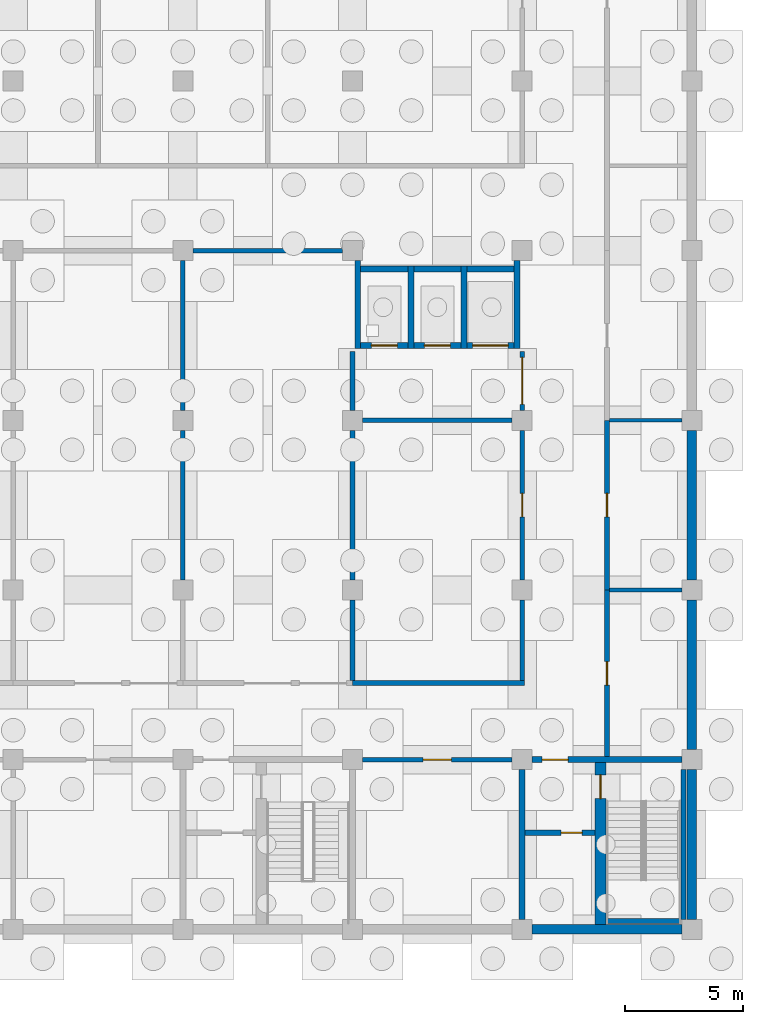
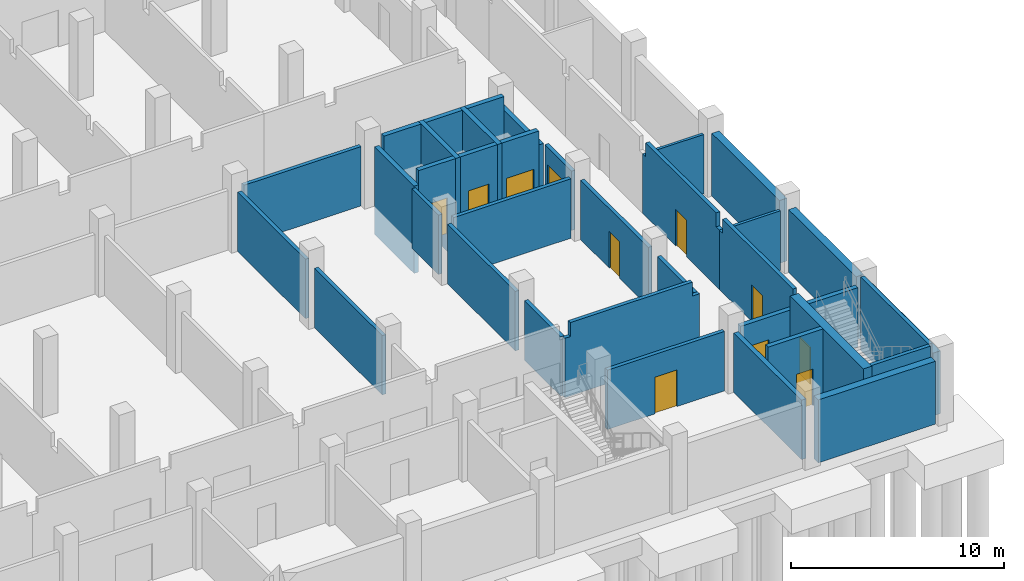
# One storey, part 12 of 19: 36 walls, 11 doors, 11 openings.
"""IFC4 building model written with IfcOpenShell, lengths in metres."""

from ifc_helpers import new_model, si_unit, direction, frame, frame_2d, origin, place, context, subcontext, project, spatial, polyline, rectangle, outline, extrude, material, layer, layer_set, type_object, element, fill, save


model = new_model("IFC4")

# Units and contexts
model_context = context("Model", 3, precision=1e-05, world=origin(), true_north=direction((0.0, 1.0)))
body_context = subcontext(model_context, "Body", "Model", "MODEL_VIEW")
ifc_project = project(units=[si_unit("LENGTHUNIT", "METRE"), si_unit("AREAUNIT", "SQUARE_METRE"), si_unit("VOLUMEUNIT", "CUBIC_METRE"), si_unit("PLANEANGLEUNIT", "RADIAN"), si_unit("MASSUNIT", "GRAM", prefix="KILO")], contexts=[model_context])

# Site, building, storey
site_placement = place(None, origin())
site = spatial("IfcSite", under=ifc_project, at=site_placement, CompositionType="ELEMENT")
building_placement = place(site_placement, origin())
building = spatial("IfcBuilding", under=site, at=building_placement, Name="Silangan Lancet Faculty of Sciences", CompositionType="ELEMENT")
storey_placement = place(building_placement, frame((0.0, 0.0, -4.5)))
storey = spatial("IfcBuildingStorey", under=building, at=storey_placement, Name="B1", CompositionType="ELEMENT", Elevation=-4.5)

# Walls
ifc_material_1 = material(Name="Hollow block masonry fm 7 MPa", Category="masonry")
ifc_layer_1 = layer(ifc_material_1, 0.199951171875)
ifc_layer_set_1 = layer_set([ifc_layer_1], Name="Hollow block masonry fm 7 MPa")
wall_type_1 = type_object("IfcWallType", Name="Interior wall PW1 Corridor wall CHB 200", PredefinedType="PARTITIONING", material=ifc_layer_set_1)
wall_1_placement = place(storey_placement, frame((72.0, 10.449951171875, 0.0), z_axis=(0.0, 0.0, 1.0), x_axis=(1.0, 0.0, 0.0)))
element("IfcWall", 1, at=wall_1_placement, inside=storey, type_object=wall_type_1, Name="Corridor wall CHB 200", PredefinedType="PARTITIONING", context=body_context, shape_type="SweptSolid", body=[
    extrude(outline(polyline([(0.0, 0.0), (7.300048828125, 0.0), (7.300048828125, 3.39990234375), (6.89990234375, 3.39990234375), (6.89990234375, 4.199951171875), (0.300048828125, 4.199951171875), (0.300048828125, 3.39990234375), (0.0, 3.39990234375), (0.0, 0.0)])), frame((0.0, 0.10009765625, 0.0), z_axis=(0.0, -1.0, 0.0), x_axis=(1.0, 0.0, 0.0)), (0.0, 0.0, 1.0), 0.199951171875),
])
wall_2_placement = place(storey_placement, frame((79.199951171875, 10.550048828125, 0.0), z_axis=(0.0, 0.0, 1.0), x_axis=(0.0, 1.0, 0.0)))
element("IfcWall", 2, at=wall_2_placement, inside=storey, type_object=wall_type_1, Name="Corridor wall CHB 200", PredefinedType="PARTITIONING", context=body_context, shape_type="SweptSolid", body=[
    extrude(rectangle(XDim=3.425048828125, YDim=0.199951171875, at=frame_2d((1.71240234375, 0.0))), origin(), (0.0, 0.0, 1.0), 3.39990234375),
])

# Wall, opening, door
wall_3_placement = place(storey_placement, frame((79.199951171875, 14.824951171875, 0.0), z_axis=(0.0, 0.0, 1.0), x_axis=(0.0, 1.0, 0.0)))
wall_3 = element("IfcWall", 3, at=wall_3_placement, inside=storey, type_object=wall_type_1, Name="Corridor wall CHB 200", PredefinedType="PARTITIONING", context=body_context, shape_type="SweptSolid", body=[
    extrude(rectangle(XDim=6.35009765625, YDim=0.199951171875, at=frame_2d((3.175048828125, 0.0))), origin(), (0.0, 0.0, 1.0), 3.39990234375),
])
opening_1_placement = place(wall_3_placement, frame((2.675048828125, 0.0, 0.0)))
opening_1 = element("IfcOpeningElement", 4, at=opening_1_placement, cuts=wall_3, Name="Opening B1-021", PredefinedType="OPENING", context=body_context, shape_type="SweptSolid", body=[
    extrude(rectangle(XDim=1.0, YDim=2.10009765625, at=frame_2d((0.5, 1.050048828125))), frame((0.0, 0.10986328125, 0.0), z_axis=(0.0, -1.0, 0.0), x_axis=(1.0, 0.0, 0.0)), (0.0, 0.0, 1.0), 0.219970703125),
])
ifc_material_2 = material(Name="Steel fire door set", Category="steel")
door_type_1 = type_object("IfcDoorType", Name="Door D1 Single leaf fire door 1000 x 2100", OperationType="SINGLE_SWING_LEFT", PredefinedType="DOOR", material=ifc_material_2)
door_1_placement = place(opening_1_placement, origin())
door_1 = element("IfcDoor", 5, at=door_1_placement, inside=storey, type_object=door_type_1, Name="Single leaf fire door 1000 x 2100", OperationType="SINGLE_SWING_LEFT", OverallHeight=2.10009765625, OverallWidth=1.0, PredefinedType="DOOR", context=body_context, shape_type="SweptSolid", body=[
    extrude(rectangle(XDim=1.0, YDim=2.10009765625, at=frame_2d((0.5, 1.050048828125))), frame((0.0, 0.02490234375, 0.0), z_axis=(0.0, -1.0, 0.0), x_axis=(1.0, 0.0, 0.0)), (0.0, 0.0, 1.0), 0.050048828125),
])
fill(opening_1, door_1)

wall_4_placement = place(storey_placement, frame((82.800048828125, 7.324951171875, 0.0), z_axis=(0.0, 0.0, 1.0), x_axis=(0.0, 1.0, 0.0)))
wall_4 = element("IfcWall", 6, at=wall_4_placement, inside=storey, type_object=wall_type_1, Name="Corridor wall CHB 200", PredefinedType="PARTITIONING", context=body_context, shape_type="SweptSolid", body=[
    extrude(outline(polyline([(0.0, 0.0), (7.074951171875, 0.0), (7.074951171875, 3.39990234375), (6.77490234375, 3.39990234375), (6.77490234375, 4.199951171875), (0.175048828125, 4.199951171875), (0.175048828125, 3.39990234375), (0.0, 3.39990234375), (0.0, 0.0)])), frame((0.0, 0.10009765625, 0.0), z_axis=(0.0, -1.0, 0.0), x_axis=(1.0, 0.0, 0.0)), (0.0, 0.0, 1.0), 0.199951171875),
])
opening_2_placement = place(wall_4_placement, frame((3.037353515625, 0.0, 0.0)))
opening_2 = element("IfcOpeningElement", 7, at=opening_2_placement, cuts=wall_4, Name="Opening B1-044", PredefinedType="OPENING", context=body_context, shape_type="SweptSolid", body=[
    extrude(rectangle(XDim=1.0, YDim=2.10009765625, at=frame_2d((0.5, 1.050048828125))), frame((0.0, 0.10986328125, 0.0), z_axis=(0.0, -1.0, 0.0), x_axis=(1.0, 0.0, 0.0)), (0.0, 0.0, 1.0), 0.219970703125),
])
door_2_placement = place(opening_2_placement, frame((1.0, 0.0, 0.0), z_axis=(0.0, 0.0, 1.0), x_axis=(-1.0, 0.0, 0.0)))
door_2 = element("IfcDoor", 8, at=door_2_placement, inside=storey, type_object=door_type_1, Name="Single leaf fire door 1000 x 2100", OperationType="SINGLE_SWING_LEFT", OverallHeight=2.10009765625, OverallWidth=1.0, PredefinedType="DOOR", context=body_context, shape_type="SweptSolid", body=[
    extrude(rectangle(XDim=1.0, YDim=2.10009765625, at=frame_2d((0.5, 1.050048828125))), frame((0.0, 0.025146484375, 0.0), z_axis=(0.0, -1.0, 0.0), x_axis=(1.0, 0.0, 0.0)), (0.0, 0.0, 1.0), 0.050048828125),
])
fill(opening_2, door_2)

wall_5_placement = place(storey_placement, frame((82.800048828125, 14.39990234375, 0.0), z_axis=(0.0, 0.0, 1.0), x_axis=(0.0, 1.0, 0.0)))
wall_5 = element("IfcWall", 9, at=wall_5_placement, inside=storey, type_object=wall_type_1, Name="Corridor wall CHB 200", PredefinedType="PARTITIONING", context=body_context, shape_type="SweptSolid", body=[
    extrude(outline(polyline([(0.0, 0.0), (7.2001953125, 0.0), (7.2001953125, 3.39990234375), (6.900146484375, 3.39990234375), (6.900146484375, 4.199951171875), (0.300048828125, 4.199951171875), (0.300048828125, 3.39990234375), (0.0, 3.39990234375), (0.0, 0.0)])), frame((0.0, 0.10009765625, 0.0), z_axis=(0.0, -1.0, 0.0), x_axis=(1.0, 0.0, 0.0)), (0.0, 0.0, 1.0), 0.199951171875),
])
opening_3_placement = place(wall_5_placement, frame((3.10009765625, 0.0, 0.0)))
opening_3 = element("IfcOpeningElement", 10, at=opening_3_placement, cuts=wall_5, Name="Opening B1-045", PredefinedType="OPENING", context=body_context, shape_type="SweptSolid", body=[
    extrude(rectangle(XDim=1.0, YDim=2.10009765625, at=frame_2d((0.5, 1.050048828125))), frame((0.0, 0.10986328125, 0.0), z_axis=(0.0, -1.0, 0.0), x_axis=(1.0, 0.0, 0.0)), (0.0, 0.0, 1.0), 0.219970703125),
])
door_3_placement = place(opening_3_placement, frame((1.0, 0.0, 0.0), z_axis=(0.0, 0.0, 1.0), x_axis=(-1.0, 0.0, 0.0)))
door_3 = element("IfcDoor", 11, at=door_3_placement, inside=storey, type_object=door_type_1, Name="Single leaf fire door 1000 x 2100", OperationType="SINGLE_SWING_RIGHT", OverallHeight=2.10009765625, OverallWidth=1.0, PredefinedType="DOOR", context=body_context, shape_type="SweptSolid", body=[
    extrude(rectangle(XDim=1.0, YDim=2.10009765625, at=frame_2d((0.5, 1.050048828125))), frame((0.0, 0.025146484375, 0.0), z_axis=(0.0, -1.0, 0.0), x_axis=(1.0, 0.0, 0.0)), (0.0, 0.0, 1.0), 0.050048828125),
])
fill(opening_3, door_3)

# Walls
ifc_material_3 = material(Name="Hollow block masonry fm 7 MPa", Category="masonry")
ifc_layer_2 = layer(ifc_material_3, 0.14990234375)
ifc_layer_set_2 = layer_set([ifc_layer_2], Name="Hollow block masonry fm 7 MPa")
wall_type_2 = type_object("IfcWallType", Name="Interior wall PW3 Partition CHB 150", PredefinedType="PARTITIONING", material=ifc_layer_set_2)
for number, where, z_axis, x_axis, name in (
    (12, (82.89990234375, 14.39990234375, 0.0), (0.0, 0.0, 1.0), (1.0, 0.0, 0.0), "Partition CHB 150"),
    (13, (82.89990234375, 21.60009765625, 0.0), (0.0, 0.0, 1.0), (1.0, 0.0, 0.0), "Partition CHB 150"),
):
    element("IfcWall", number, at=place(storey_placement, frame(where, z_axis=z_axis, x_axis=x_axis)), inside=storey, type_object=wall_type_2, Name=name, PredefinedType="PARTITIONING", context=body_context, shape_type="SweptSolid", body=[
        extrude(rectangle(XDim=3.0751953125, YDim=0.14990234375, at=frame_2d((1.53759765625, 0.0))), origin(), (0.0, 0.0, 1.0), 3.39990234375),
    ])

# Wall, opening, door
ifc_material_4 = material(Name="Hollow block masonry fm 7 MPa", Category="masonry")
ifc_layer_3 = layer(ifc_material_4, 0.199951171875)
ifc_layer_set_3 = layer_set([ifc_layer_3], Name="Hollow block masonry fm 7 MPa")
wall_type_3 = type_object("IfcWallType", Name="Interior wall PW6 Plant room wall CHB 200", PredefinedType="PARTITIONING", material=ifc_layer_set_3)
wall_6_placement = place(storey_placement, frame((72.425048828125, 7.199951171875, 0.0), z_axis=(0.0, 0.0, 1.0), x_axis=(1.0, 0.0, 0.0)))
wall_6 = element("IfcWall", 14, at=wall_6_placement, inside=storey, type_object=wall_type_3, Name="Plant room wall CHB 200", PredefinedType="PARTITIONING", context=body_context, shape_type="SweptSolid", body=[
    extrude(rectangle(XDim=6.349853515625, YDim=0.199951171875, at=frame_2d((3.1748046875, 0.0))), origin(), (0.0, 0.0, 1.0), 3.39990234375),
])
opening_4_placement = place(wall_6_placement, frame((2.574951171875, 0.0, 0.0)))
opening_4 = element("IfcOpeningElement", 15, at=opening_4_placement, cuts=wall_6, Name="Opening B1-038", PredefinedType="OPENING", context=body_context, shape_type="SweptSolid", body=[
    extrude(rectangle(XDim=1.199951171875, YDim=2.10009765625, at=frame_2d((0.60009765625, 1.050048828125))), frame((0.0, 0.10986328125, 0.0), z_axis=(0.0, -1.0, 0.0), x_axis=(1.0, 0.0, 0.0)), (0.0, 0.0, 1.0), 0.219970703125),
])
ifc_material_5 = material(Name="Steel fire door set", Category="steel")
door_type_2 = type_object("IfcDoorType", Name="Door D7 Plant room door 1200 x 2100", OperationType="SINGLE_SWING_LEFT", PredefinedType="DOOR", material=ifc_material_5)
door_4_placement = place(opening_4_placement, frame((1.199951171875, 0.0, 0.0), z_axis=(0.0, 0.0, 1.0), x_axis=(-1.0, 0.0, 0.0)))
door_4 = element("IfcDoor", 16, at=door_4_placement, inside=storey, type_object=door_type_2, Name="Plant room door 1200 x 2100", OperationType="SINGLE_SWING_LEFT", OverallHeight=2.10009765625, OverallWidth=1.199951171875, PredefinedType="DOOR", context=body_context, shape_type="SweptSolid", body=[
    extrude(rectangle(XDim=1.199951171875, YDim=2.10009765625, at=frame_2d((0.60009765625, 1.050048828125))), frame((0.0, 0.025146484375, 0.0), z_axis=(0.0, -1.0, 0.0), x_axis=(1.0, 0.0, 0.0)), (0.0, 0.0, 1.0), 0.050048828125),
])
fill(opening_4, door_4)

# Walls
wall_7_placement = place(storey_placement, frame((65.22509765625, 28.800048828125, 0.0), z_axis=(0.0, 0.0, 1.0), x_axis=(1.0, 0.0, 0.0)))
element("IfcWall", 17, at=wall_7_placement, inside=storey, type_object=wall_type_3, Name="Plant room wall CHB 200", PredefinedType="PARTITIONING", context=body_context, shape_type="SweptSolid", body=[
    extrude(rectangle(XDim=6.349853515625, YDim=0.199951171875, at=frame_2d((3.1748046875, 0.0))), origin(), (0.0, 0.0, 1.0), 3.39990234375),
])
for number, where, z_axis, x_axis, name in (
    (18, (64.800048828125, 14.824951171875, 0.0), (0.0, 0.0, 1.0), (0.0, 1.0, 0.0), "Plant room wall CHB 200"),
    (19, (64.800048828125, 22.02490234375, 0.0), (0.0, 0.0, 1.0), (0.0, 1.0, 0.0), "Plant room wall CHB 200"),
):
    element("IfcWall", number, at=place(storey_placement, frame(where, z_axis=z_axis, x_axis=x_axis)), inside=storey, type_object=wall_type_3, Name=name, PredefinedType="PARTITIONING", context=body_context, shape_type="SweptSolid", body=[
        extrude(rectangle(XDim=6.35009765625, YDim=0.199951171875, at=frame_2d((3.175048828125, 0.0))), origin(), (0.0, 0.0, 1.0), 3.39990234375),
    ])
wall_8_placement = place(storey_placement, frame((72.0, 10.550048828125, 0.0), z_axis=(0.0, 0.0, 1.0), x_axis=(0.0, 1.0, 0.0)))
element("IfcWall", 20, at=wall_8_placement, inside=storey, type_object=wall_type_3, Name="Plant room wall CHB 200", PredefinedType="PARTITIONING", context=body_context, shape_type="SweptSolid", body=[
    extrude(rectangle(XDim=3.425048828125, YDim=0.199951171875, at=frame_2d((1.71240234375, 0.0))), origin(), (0.0, 0.0, 1.0), 3.39990234375),
])
wall_9_placement = place(storey_placement, frame((72.0, 14.824951171875, 0.0), z_axis=(0.0, 0.0, 1.0), x_axis=(0.0, 1.0, 0.0)))
element("IfcWall", 21, at=wall_9_placement, inside=storey, type_object=wall_type_3, Name="Plant room wall CHB 200", PredefinedType="PARTITIONING", context=body_context, shape_type="SweptSolid", body=[
    extrude(rectangle(XDim=6.35009765625, YDim=0.199951171875, at=frame_2d((3.175048828125, 0.0))), origin(), (0.0, 0.0, 1.0), 3.39990234375),
])
wall_10_placement = place(storey_placement, frame((72.0, 22.02490234375, 0.0), z_axis=(0.0, 0.0, 1.0), x_axis=(0.0, 1.0, 0.0)))
element("IfcWall", 22, at=wall_10_placement, inside=storey, type_object=wall_type_3, Name="Plant room wall CHB 200", PredefinedType="PARTITIONING", context=body_context, shape_type="SweptSolid", body=[
    extrude(rectangle(XDim=2.5, YDim=0.199951171875, at=frame_2d((1.25, 0.0))), origin(), (0.0, 0.0, 1.0), 3.39990234375),
])
ifc_material_6 = material(Name="Hollow block masonry fm 7 MPa", Category="masonry")
ifc_layer_4 = layer(ifc_material_6, 0.199951171875)
ifc_layer_set_4 = layer_set([ifc_layer_4], Name="Hollow block masonry fm 7 MPa")
wall_type_4 = type_object("IfcWallType", Name="Interior wall PW9 Lift lobby wall CHB 200", PredefinedType="PARTITIONING", material=ifc_layer_set_4)
wall_11_placement = place(storey_placement, frame((72.425048828125, 21.60009765625, 0.0), z_axis=(0.0, 0.0, 1.0), x_axis=(1.0, 0.0, 0.0)))
element("IfcWall", 23, at=wall_11_placement, inside=storey, type_object=wall_type_4, Name="Lift lobby wall CHB 200", PredefinedType="PARTITIONING", context=body_context, shape_type="SweptSolid", body=[
    extrude(rectangle(XDim=6.349853515625, YDim=0.199951171875, at=frame_2d((3.1748046875, 0.0))), origin(), (0.0, 0.0, 1.0), 3.39990234375),
])

# Wall, opening, door
wall_12_placement = place(storey_placement, frame((79.199951171875, 22.02490234375, 0.0), z_axis=(0.0, 0.0, 1.0), x_axis=(0.0, 1.0, 0.0)))
wall_12 = element("IfcWall", 24, at=wall_12_placement, inside=storey, type_object=wall_type_4, Name="Lift lobby wall CHB 200", PredefinedType="PARTITIONING", context=body_context, shape_type="SweptSolid", body=[
    extrude(rectangle(XDim=2.5, YDim=0.199951171875, at=frame_2d((1.25, 0.0))), origin(), (0.0, 0.0, 1.0), 3.39990234375),
])
opening_5_placement = place(wall_12_placement, frame((0.25, 0.0, 0.0)))
opening_5 = element("IfcOpeningElement", 25, at=opening_5_placement, cuts=wall_12, Name="Opening B1-006", PredefinedType="OPENING", context=body_context, shape_type="SweptSolid", body=[
    extrude(rectangle(XDim=2.0, YDim=2.39990234375, at=frame_2d((1.0, 1.199951171875))), frame((0.0, 0.10986328125, 0.0), z_axis=(0.0, -1.0, 0.0), x_axis=(1.0, 0.0, 0.0)), (0.0, 0.0, 1.0), 0.219970703125),
])
ifc_material_7 = material(Name="Steel fire door set", Category="steel")
door_type_3 = type_object("IfcDoorType", Name="Door D5 Lift lobby double fire door 2000 x 2400", OperationType="DOUBLE_DOOR_SINGLE_SWING", PredefinedType="DOOR", material=ifc_material_7)
door_5_placement = place(opening_5_placement, origin())
door_5 = element("IfcDoor", 26, at=door_5_placement, inside=storey, type_object=door_type_3, Name="Lift lobby double fire door 2000 x 2400", OperationType="DOUBLE_DOOR_SINGLE_SWING", OverallHeight=2.39990234375, OverallWidth=2.0, PredefinedType="DOOR", context=body_context, shape_type="SweptSolid", body=[
    extrude(rectangle(XDim=2.0, YDim=2.39990234375, at=frame_2d((1.0, 1.199951171875))), frame((0.0, 0.02490234375, 0.0), z_axis=(0.0, -1.0, 0.0), x_axis=(1.0, 0.0, 0.0)), (0.0, 0.0, 1.0), 0.050048828125),
])
fill(opening_5, door_5)

# Walls
ifc_material_8 = material(Name="Concrete C40/50", Category="concrete")
ifc_layer_5 = layer(ifc_material_8, 0.25)
ifc_layer_set_5 = layer_set([ifc_layer_5], Name="Concrete C40/50")
wall_type_5 = type_object("IfcWallType", Name="LIFT SHAFT WALL RC 250", PredefinedType="SHEAR", material=ifc_layer_set_5)
wall_13_placement = place(storey_placement, frame((72.22509765625, 24.64990234375, -1.60009765625), z_axis=(0.0, 0.0, 1.0), x_axis=(0.0, 1.0, 0.0)))
element("IfcWall", 27, at=wall_13_placement, inside=storey, type_object=wall_type_5, Name="WALL-B1-EB-SW1", PredefinedType="SHEAR", context=body_context, shape_type="SweptSolid", body=[
    extrude(rectangle(XDim=3.72509765625, YDim=0.25, at=frame_2d((1.862548828125, 0.0))), origin(), (0.0, 0.0, 1.0), 5.0),
])
for number, where, z_axis, x_axis, name in (
    (28, (74.47509765625, 24.64990234375, -1.60009765625), (0.0, 0.0, 1.0), (0.0, 1.0, 0.0), "WALL-B1-EB-SW2"),
    (29, (76.72509765625, 24.64990234375, -1.60009765625), (0.0, 0.0, 1.0), (0.0, 1.0, 0.0), "WALL-B1-EB-SW3"),
):
    element("IfcWall", number, at=place(storey_placement, frame(where, z_axis=z_axis, x_axis=x_axis)), inside=storey, type_object=wall_type_5, Name=name, PredefinedType="SHEAR", context=body_context, shape_type="SweptSolid", body=[
        extrude(rectangle(XDim=3.5, YDim=0.25, at=frame_2d((1.75, 0.0))), origin(), (0.0, 0.0, 1.0), 5.800048828125),
    ])
wall_14_placement = place(storey_placement, frame((78.97509765625, 24.64990234375, -1.60009765625), z_axis=(0.0, 0.0, 1.0), x_axis=(0.0, 1.0, 0.0)))
element("IfcWall", 30, at=wall_14_placement, inside=storey, type_object=wall_type_5, Name="WALL-B1-EB-SW4", PredefinedType="SHEAR", context=body_context, shape_type="SweptSolid", body=[
    extrude(rectangle(XDim=3.72509765625, YDim=0.25, at=frame_2d((1.862548828125, 0.0))), origin(), (0.0, 0.0, 1.0), 5.0),
])

# Wall, opening, door
wall_15_placement = place(storey_placement, frame((72.35009765625, 24.77490234375, 0.0), z_axis=(0.0, 0.0, 1.0), x_axis=(1.0, 0.0, 0.0)))
wall_15 = element("IfcWall", 31, at=wall_15_placement, inside=storey, type_object=wall_type_5, Name="WALL-B1-EB-L1-F", PredefinedType="SHEAR", context=body_context, shape_type="SweptSolid", body=[
    extrude(rectangle(XDim=2.0, YDim=0.25, at=frame_2d((1.0, 0.0))), origin(), (0.0, 0.0, 1.0), 4.199951171875),
])
opening_6_placement = place(wall_15_placement, frame((0.449951171875, 0.0, 0.0)))
opening_6 = element("IfcOpeningElement", 32, at=opening_6_placement, cuts=wall_15, Name="Opening B1-801", PredefinedType="OPENING", context=body_context, shape_type="SweptSolid", body=[
    extrude(rectangle(XDim=1.10009765625, YDim=2.10009765625, at=frame_2d((0.550048828125, 1.050048828125))), frame((0.0, 0.135009765625, 0.0), z_axis=(0.0, -1.0, 0.0), x_axis=(1.0, 0.0, 0.0)), (0.0, 0.0, 1.0), 0.27001953125),
])
ifc_material_9 = material(Name="Stainless steel sliding door", Category="steel")
door_type_4 = type_object("IfcDoorType", Name="LD1 Lift landing door 1100x2100", OperationType="SLIDING_TO_LEFT", PredefinedType="DOOR", material=ifc_material_9)
door_6_placement = place(opening_6_placement, origin())
door_6 = element("IfcDoor", 33, at=door_6_placement, inside=storey, type_object=door_type_4, Name="Landing door EB-L1 B1", OperationType="SLIDING_TO_LEFT", OverallHeight=2.10009765625, OverallWidth=1.10009765625, PredefinedType="DOOR", context=body_context, shape_type="SweptSolid", body=[
    extrude(rectangle(XDim=1.10009765625, YDim=2.10009765625, at=frame_2d((0.550048828125, 1.050048828125))), frame((0.0, 0.02490234375, 0.0), z_axis=(0.0, -1.0, 0.0), x_axis=(1.0, 0.0, 0.0)), (0.0, 0.0, 1.0), 0.050048828125),
])
fill(opening_6, door_6)

# Wall
wall_16_placement = place(storey_placement, frame((72.35009765625, 28.02490234375, -1.60009765625), z_axis=(0.0, 0.0, 1.0), x_axis=(1.0, 0.0, 0.0)))
element("IfcWall", 34, at=wall_16_placement, inside=storey, type_object=wall_type_5, Name="WALL-B1-EB-L1-B", PredefinedType="SHEAR", context=body_context, shape_type="SweptSolid", body=[
    extrude(rectangle(XDim=2.0, YDim=0.25, at=frame_2d((1.0, 0.0))), origin(), (0.0, 0.0, 1.0), 5.800048828125),
])

# Wall, opening, door
wall_17_placement = place(storey_placement, frame((74.60009765625, 24.77490234375, 0.0), z_axis=(0.0, 0.0, 1.0), x_axis=(1.0, 0.0, 0.0)))
wall_17 = element("IfcWall", 35, at=wall_17_placement, inside=storey, type_object=wall_type_5, Name="WALL-B1-EB-L2-F", PredefinedType="SHEAR", context=body_context, shape_type="SweptSolid", body=[
    extrude(rectangle(XDim=2.0, YDim=0.25, at=frame_2d((1.0, 0.0))), origin(), (0.0, 0.0, 1.0), 4.199951171875),
])
opening_7_placement = place(wall_17_placement, frame((0.449951171875, 0.0, 0.0)))
opening_7 = element("IfcOpeningElement", 36, at=opening_7_placement, cuts=wall_17, Name="Opening B1-802", PredefinedType="OPENING", context=body_context, shape_type="SweptSolid", body=[
    extrude(rectangle(XDim=1.10009765625, YDim=2.10009765625, at=frame_2d((0.550048828125, 1.050048828125))), frame((0.0, 0.135009765625, 0.0), z_axis=(0.0, -1.0, 0.0), x_axis=(1.0, 0.0, 0.0)), (0.0, 0.0, 1.0), 0.27001953125),
])
door_7_placement = place(opening_7_placement, origin())
door_7 = element("IfcDoor", 37, at=door_7_placement, inside=storey, type_object=door_type_4, Name="Landing door EB-L2 B1", OperationType="SLIDING_TO_LEFT", OverallHeight=2.10009765625, OverallWidth=1.10009765625, PredefinedType="DOOR", context=body_context, shape_type="SweptSolid", body=[
    extrude(rectangle(XDim=1.10009765625, YDim=2.10009765625, at=frame_2d((0.550048828125, 1.050048828125))), frame((0.0, 0.02490234375, 0.0), z_axis=(0.0, -1.0, 0.0), x_axis=(1.0, 0.0, 0.0)), (0.0, 0.0, 1.0), 0.050048828125),
])
fill(opening_7, door_7)

# Wall
wall_18_placement = place(storey_placement, frame((74.60009765625, 28.02490234375, -1.60009765625), z_axis=(0.0, 0.0, 1.0), x_axis=(1.0, 0.0, 0.0)))
element("IfcWall", 38, at=wall_18_placement, inside=storey, type_object=wall_type_5, Name="WALL-B1-EB-L2-B", PredefinedType="SHEAR", context=body_context, shape_type="SweptSolid", body=[
    extrude(rectangle(XDim=2.0, YDim=0.25, at=frame_2d((1.0, 0.0))), origin(), (0.0, 0.0, 1.0), 5.800048828125),
])

# Wall, opening, door
wall_19_placement = place(storey_placement, frame((76.85009765625, 24.77490234375, 0.0), z_axis=(0.0, 0.0, 1.0), x_axis=(1.0, 0.0, 0.0)))
wall_19 = element("IfcWall", 39, at=wall_19_placement, inside=storey, type_object=wall_type_5, Name="WALL-B1-EB-L3-F", PredefinedType="SHEAR", context=body_context, shape_type="SweptSolid", body=[
    extrude(rectangle(XDim=2.0, YDim=0.25, at=frame_2d((1.0, 0.0))), origin(), (0.0, 0.0, 1.0), 4.199951171875),
])
opening_8_placement = place(wall_19_placement, frame((0.25, 0.0, 0.0)))
opening_8 = element("IfcOpeningElement", 40, at=opening_8_placement, cuts=wall_19, Name="Opening B1-803", PredefinedType="OPENING", context=body_context, shape_type="SweptSolid", body=[
    extrude(rectangle(XDim=1.5, YDim=2.10009765625, at=frame_2d((0.75, 1.050048828125))), frame((0.0, 0.135009765625, 0.0), z_axis=(0.0, -1.0, 0.0), x_axis=(1.0, 0.0, 0.0)), (0.0, 0.0, 1.0), 0.27001953125),
])
ifc_material_10 = material(Name="Steel sliding door", Category="steel")
door_type_5 = type_object("IfcDoorType", Name="LD2 Lift landing door 1500x2100", OperationType="SLIDING_TO_LEFT", PredefinedType="DOOR", material=ifc_material_10)
door_8_placement = place(opening_8_placement, origin())
door_8 = element("IfcDoor", 41, at=door_8_placement, inside=storey, type_object=door_type_5, Name="Landing door EB-L3 B1", OperationType="SLIDING_TO_LEFT", OverallHeight=2.10009765625, OverallWidth=1.5, PredefinedType="DOOR", context=body_context, shape_type="SweptSolid", body=[
    extrude(rectangle(XDim=1.5, YDim=2.10009765625, at=frame_2d((0.75, 1.050048828125))), frame((0.0, 0.02490234375, 0.0), z_axis=(0.0, -1.0, 0.0), x_axis=(1.0, 0.0, 0.0)), (0.0, 0.0, 1.0), 0.050048828125),
])
fill(opening_8, door_8)

# Walls
wall_20_placement = place(storey_placement, frame((76.85009765625, 28.02490234375, -1.60009765625), z_axis=(0.0, 0.0, 1.0), x_axis=(1.0, 0.0, 0.0)))
element("IfcWall", 42, at=wall_20_placement, inside=storey, type_object=wall_type_5, Name="WALL-B1-EB-L3-B", PredefinedType="SHEAR", context=body_context, shape_type="SweptSolid", body=[
    extrude(rectangle(XDim=2.0, YDim=0.25, at=frame_2d((1.0, 0.0))), origin(), (0.0, 0.0, 1.0), 5.800048828125),
])
ifc_material_11 = material(Name="Concrete C35/45", Category="concrete")
ifc_layer_6 = layer(ifc_material_11, 0.39990234375)
ifc_layer_set_6 = layer_set([ifc_layer_6], Name="Concrete C35/45")
wall_type_6 = type_object("IfcWallType", Name="RW1 Basement retaining wall", PredefinedType="SOLIDWALL", material=ifc_layer_set_6)
wall_21_placement = place(storey_placement, frame((79.625, 0.0, 0.0), z_axis=(0.0, 0.0, 1.0), x_axis=(1.0, 0.0, 0.0)))
element("IfcWall", 43, at=wall_21_placement, inside=storey, type_object=wall_type_6, Name="RW-B1-S-11", PredefinedType="SOLIDWALL", context=body_context, shape_type="SweptSolid", body=[
    extrude(rectangle(XDim=6.35009765625, YDim=0.39990234375, at=frame_2d((3.175048828125, 0.0))), origin(), (0.0, 0.0, 1.0), 3.60009765625),
])
wall_22_placement = place(storey_placement, frame((86.39990234375, 0.425048828125, 0.0), z_axis=(0.0, 0.0, 1.0), x_axis=(0.0, 1.0, 0.0)))
element("IfcWall", 44, at=wall_22_placement, inside=storey, type_object=wall_type_6, Name="RW-B1-E-00", PredefinedType="SOLIDWALL", context=body_context, shape_type="SweptSolid", body=[
    extrude(rectangle(XDim=6.349853515625, YDim=0.39990234375, at=frame_2d((3.1748046875, 0.0))), origin(), (0.0, 0.0, 1.0), 3.60009765625),
])
for number, where, z_axis, x_axis, name in (
    (45, (86.39990234375, 7.625, 0.0), (0.0, 0.0, 1.0), (0.0, 1.0, 0.0), "RW-B1-E-01"),
    (46, (86.39990234375, 14.824951171875, 0.0), (0.0, 0.0, 1.0), (0.0, 1.0, 0.0), "RW-B1-E-02"),
):
    element("IfcWall", number, at=place(storey_placement, frame(where, z_axis=z_axis, x_axis=x_axis)), inside=storey, type_object=wall_type_6, Name=name, PredefinedType="SOLIDWALL", context=body_context, shape_type="SweptSolid", body=[
        extrude(rectangle(XDim=6.35009765625, YDim=0.39990234375, at=frame_2d((3.175048828125, 0.0))), origin(), (0.0, 0.0, 1.0), 3.60009765625),
    ])

# Wall, opening, door
ifc_material_12 = material(Name="Concrete C40/50", Category="concrete")
ifc_layer_7 = layer(ifc_material_12, 0.449951171875)
ifc_layer_set_7 = layer_set([ifc_layer_7], Name="Concrete C40/50")
wall_type_7 = type_object("IfcWallType", Name="TURRET CORE WALL RC 450", PredefinedType="SHEAR", material=ifc_layer_set_7)
wall_23_placement = place(storey_placement, frame((82.52490234375, 0.199951171875, 0.0), z_axis=(0.0, 0.0, 1.0), x_axis=(0.0, 1.0, 0.0)))
wall_23 = element("IfcWall", 47, at=wall_23_placement, inside=storey, type_object=wall_type_7, Name="WALL-B1-EB-A-WELL", PredefinedType="SHEAR", context=body_context, shape_type="SweptSolid", body=[
    extrude(rectangle(XDim=6.875, YDim=0.449951171875, at=frame_2d((3.4375, 0.0))), origin(), (0.0, 0.0, 1.0), 4.199951171875),
])
opening_9_placement = place(wall_23_placement, frame((5.35009765625, 0.0, 0.0)))
opening_9 = element("IfcOpeningElement", 48, at=opening_9_placement, cuts=wall_23, Name="Opening B1-701", PredefinedType="OPENING", context=body_context, shape_type="SweptSolid", body=[
    extrude(rectangle(XDim=1.0, YDim=2.10009765625, at=frame_2d((0.5, 1.050048828125))), frame((0.0, 0.23486328125, 0.0), z_axis=(0.0, -1.0, 0.0), x_axis=(1.0, 0.0, 0.0)), (0.0, 0.0, 1.0), 0.469970703125),
])
ifc_material_13 = material(Name="Steel fire door set", Category="steel")
door_type_6 = type_object("IfcDoorType", Name="D71 Stair enclosure door 1000x2100", OperationType="SINGLE_SWING_LEFT", PredefinedType="DOOR", material=ifc_material_13)
door_9_placement = place(opening_9_placement, frame((1.0, 0.0, 0.0), z_axis=(0.0, 0.0, 1.0), x_axis=(-1.0, 0.0, 0.0)))
door_9 = element("IfcDoor", 49, at=door_9_placement, inside=storey, type_object=door_type_6, Name="Stair enclosure door EB-A B1", OperationType="SINGLE_SWING_LEFT", OverallHeight=2.10009765625, OverallWidth=1.0, PredefinedType="DOOR", context=body_context, shape_type="SweptSolid", body=[
    extrude(rectangle(XDim=1.0, YDim=2.10009765625, at=frame_2d((0.5, 1.050048828125))), frame((0.0, 0.025146484375, 0.0), z_axis=(0.0, -1.0, 0.0), x_axis=(1.0, 0.0, 0.0)), (0.0, 0.0, 1.0), 0.050048828125),
])
fill(opening_9, door_9)

# Walls
ifc_material_14 = material(Name="Concrete C40/50", Category="concrete")
ifc_layer_8 = layer(ifc_material_14, 0.199951171875)
ifc_layer_set_8 = layer_set([ifc_layer_8], Name="Concrete C40/50")
wall_type_8 = type_object("IfcWallType", Name="TURRET LINING WALL RC 200", PredefinedType="SHEAR", material=ifc_layer_set_8)
wall_24_placement = place(storey_placement, frame((86.050048828125, 0.425048828125, 0.0), z_axis=(0.0, 0.0, 1.0), x_axis=(0.0, 1.0, 0.0)))
element("IfcWall", 50, at=wall_24_placement, inside=storey, type_object=wall_type_8, Name="WALL-B1-EB-A-WL", PredefinedType="SHEAR", context=body_context, shape_type="SweptSolid", body=[
    extrude(rectangle(XDim=6.349853515625, YDim=0.199951171875, at=frame_2d((3.1748046875, 0.0))), origin(), (0.0, 0.0, 1.0), 4.199951171875),
])
wall_25_placement = place(storey_placement, frame((82.75, 0.35009765625, 0.0), z_axis=(0.0, 0.0, 1.0), x_axis=(1.0, 0.0, 0.0)))
element("IfcWall", 51, at=wall_25_placement, inside=storey, type_object=wall_type_8, Name="WALL-B1-EB-A-WLD", PredefinedType="SHEAR", context=body_context, shape_type="SweptSolid", body=[
    extrude(rectangle(XDim=3.199951171875, YDim=0.199951171875, at=frame_2d((1.60009765625, 0.0))), origin(), (0.0, 0.0, 1.0), 4.199951171875),
])

# Wall, opening, door
ifc_material_15 = material(Name="Concrete C40/50", Category="concrete")
ifc_layer_9 = layer(ifc_material_15, 0.25)
ifc_layer_set_9 = layer_set([ifc_layer_9], Name="Concrete C40/50")
wall_type_9 = type_object("IfcWallType", Name="TURRET WALL RC 250", PredefinedType="SHEAR", material=ifc_layer_set_9)
wall_26_placement = place(storey_placement, frame((79.625, 7.199951171875, 0.0), z_axis=(0.0, 0.0, 1.0), x_axis=(1.0, 0.0, 0.0)))
wall_26 = element("IfcWall", 52, at=wall_26_placement, inside=storey, type_object=wall_type_9, Name="WALL-B1-EB-A-V", PredefinedType="SHEAR", context=body_context, shape_type="SweptSolid", body=[
    extrude(rectangle(XDim=6.35009765625, YDim=0.25, at=frame_2d((3.175048828125, 0.0))), origin(), (0.0, 0.0, 1.0), 3.39990234375),
])
opening_10_placement = place(wall_26_placement, frame((0.425048828125, 0.0, 0.0)))
opening_10 = element("IfcOpeningElement", 53, at=opening_10_placement, cuts=wall_26, Name="Opening B1-702", PredefinedType="OPENING", context=body_context, shape_type="SweptSolid", body=[
    extrude(rectangle(XDim=1.10009765625, YDim=2.10009765625, at=frame_2d((0.550048828125, 1.050048828125))), frame((0.0, 0.135009765625, 0.0), z_axis=(0.0, -1.0, 0.0), x_axis=(1.0, 0.0, 0.0)), (0.0, 0.0, 1.0), 0.27001953125),
])
ifc_material_16 = material(Name="Steel fire door set", Category="steel")
door_type_7 = type_object("IfcDoorType", Name="D70 Stair vestibule door 1100x2100", OperationType="SINGLE_SWING_LEFT", PredefinedType="DOOR", material=ifc_material_16)
door_10_placement = place(opening_10_placement, frame((1.10009765625, 0.0, 0.0), z_axis=(0.0, 0.0, 1.0), x_axis=(-1.0, 0.0, 0.0)))
door_10 = element("IfcDoor", 54, at=door_10_placement, inside=storey, type_object=door_type_7, Name="Stair vestibule door EB-A B1", OperationType="SINGLE_SWING_RIGHT", OverallHeight=2.10009765625, OverallWidth=1.10009765625, PredefinedType="DOOR", context=body_context, shape_type="SweptSolid", body=[
    extrude(rectangle(XDim=1.10009765625, YDim=2.10009765625, at=frame_2d((0.550048828125, 1.050048828125))), frame((0.0, 0.025146484375, 0.0), z_axis=(0.0, -1.0, 0.0), x_axis=(1.0, 0.0, 0.0)), (0.0, 0.0, 1.0), 0.050048828125),
])
fill(opening_10, door_10)

# Wall
wall_27_placement = place(storey_placement, frame((79.199951171875, 0.425048828125, 0.0), z_axis=(0.0, 0.0, 1.0), x_axis=(0.0, 1.0, 0.0)))
element("IfcWall", 55, at=wall_27_placement, inside=storey, type_object=wall_type_9, Name="WALL-B1-EB-A-O", PredefinedType="SHEAR", context=body_context, shape_type="SweptSolid", body=[
    extrude(rectangle(XDim=6.349853515625, YDim=0.25, at=frame_2d((3.1748046875, 0.0))), origin(), (0.0, 0.0, 1.0), 3.39990234375),
])

# Wall, opening, door
wall_28_placement = place(storey_placement, frame((79.324951171875, 4.10009765625, 0.0), z_axis=(0.0, 0.0, 1.0), x_axis=(1.0, 0.0, 0.0)))
wall_28 = element("IfcWall", 56, at=wall_28_placement, inside=storey, type_object=wall_type_9, Name="WALL-B1-EB-A-RISER", PredefinedType="SHEAR", context=body_context, shape_type="SweptSolid", body=[
    extrude(rectangle(XDim=2.97509765625, YDim=0.25, at=frame_2d((1.487548828125, 0.0))), origin(), (0.0, 0.0, 1.0), 4.199951171875),
])
opening_11_placement = place(wall_28_placement, frame((1.52490234375, 0.0, 0.0)))
opening_11 = element("IfcOpeningElement", 57, at=opening_11_placement, cuts=wall_28, Name="Opening B1-703", PredefinedType="OPENING", context=body_context, shape_type="SweptSolid", body=[
    extrude(rectangle(XDim=0.89990234375, YDim=2.10009765625, at=frame_2d((0.449951171875, 1.050048828125))), frame((0.0, 0.135009765625, 0.0), z_axis=(0.0, -1.0, 0.0), x_axis=(1.0, 0.0, 0.0)), (0.0, 0.0, 1.0), 0.27001953125),
])
ifc_material_17 = material(Name="Steel fire door set", Category="steel")
door_type_8 = type_object("IfcDoorType", Name="D72 Riser access door 900x2100", OperationType="SINGLE_SWING_LEFT", PredefinedType="DOOR", material=ifc_material_17)
door_11_placement = place(opening_11_placement, frame((0.89990234375, 0.0, 0.0), z_axis=(0.0, 0.0, 1.0), x_axis=(-1.0, 0.0, 0.0)))
door_11 = element("IfcDoor", 58, at=door_11_placement, inside=storey, type_object=door_type_8, Name="Riser access door EB-A B1", OperationType="SINGLE_SWING_RIGHT", OverallHeight=2.10009765625, OverallWidth=0.89990234375, PredefinedType="DOOR", context=body_context, shape_type="SweptSolid", body=[
    extrude(rectangle(XDim=0.89990234375, YDim=2.10009765625, at=frame_2d((0.449951171875, 1.050048828125))), frame((0.0, 0.025146484375, 0.0), z_axis=(0.0, -1.0, 0.0), x_axis=(1.0, 0.0, 0.0)), (0.0, 0.0, 1.0), 0.050048828125),
])
fill(opening_11, door_11)

save(model, "model.ifc")
